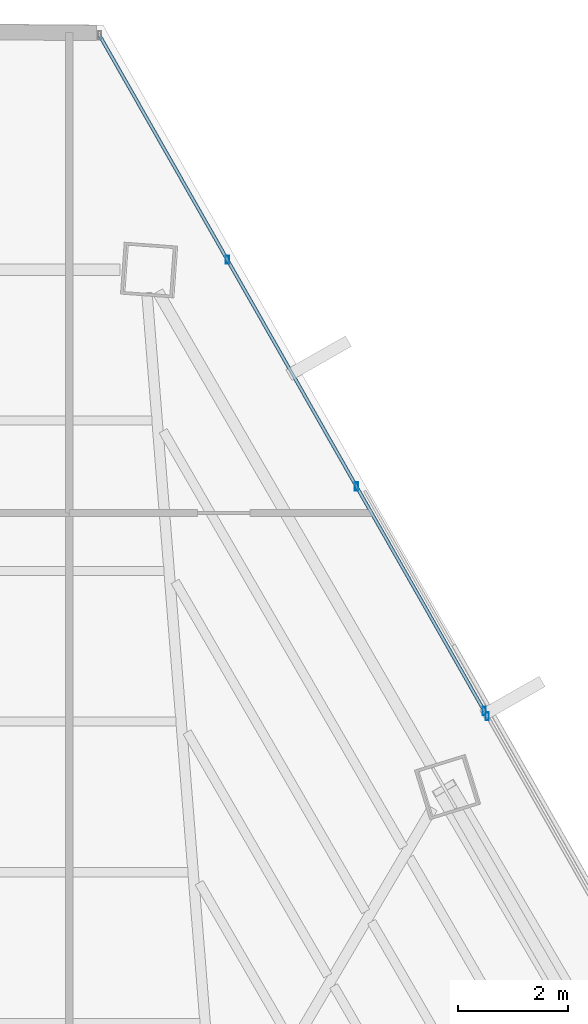
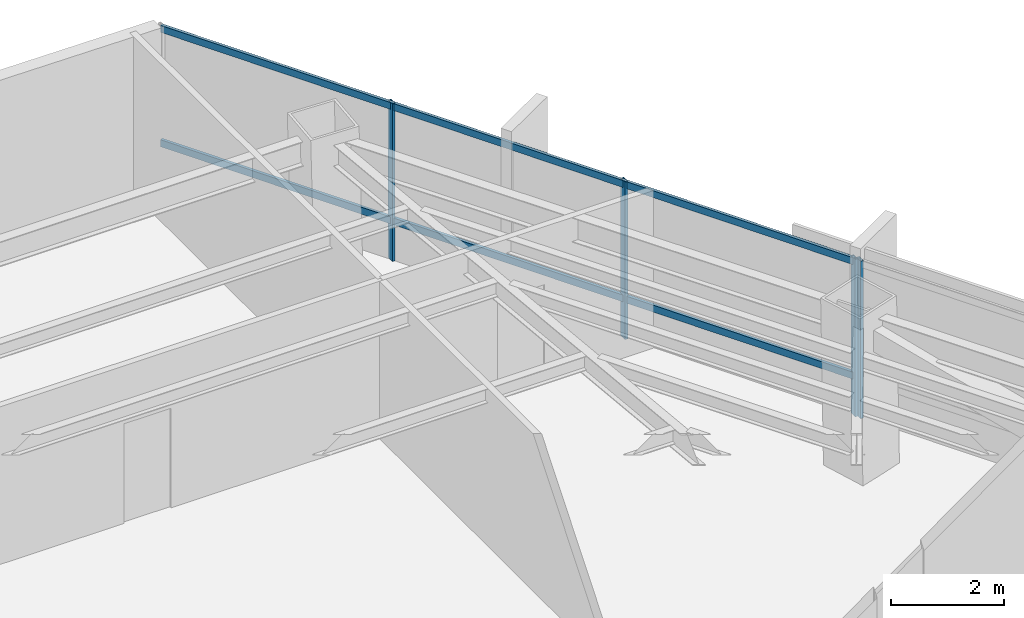
# One storey, part 31 of 38: 6 members, 2 elements without a shape of their own.
"""IFC4 building model written with IfcOpenShell, lengths in metres."""

from ifc_helpers import new_model, si_unit, direction, frame, origin, origin_2d, place, context, subcontext, project, spatial, hollow_rectangle, extrude, source, transform, mapped, material, material_profile, profile_set, type_object, type_shapes, element, aggregate, save


model = new_model("IFC4")

# Units and contexts
model_context = context("Model", 3, precision=1e-05, world=origin(), true_north=direction((0.0, 1.0)))
body_context = subcontext(model_context, "Body", "Model", "MODEL_VIEW")
ifc_project = project(units=[si_unit("LENGTHUNIT", "METRE"), si_unit("AREAUNIT", "SQUARE_METRE"), si_unit("VOLUMEUNIT", "CUBIC_METRE"), si_unit("PLANEANGLEUNIT", "RADIAN"), si_unit("MASSUNIT", "GRAM", prefix="KILO")], contexts=[model_context])

# Site, building, storey
site_placement = place(None, origin())
site = spatial("IfcSite", under=ifc_project, at=site_placement, CompositionType="ELEMENT")
building_placement = place(site_placement, origin())
building = spatial("IfcBuilding", under=site, at=building_placement, Name="Caelisora Broadcast Tower", CompositionType="ELEMENT")
storey_placement = place(building_placement, frame((0.0, 0.0, 154.85009765625)))
storey = spatial("IfcBuildingStorey", under=building, at=storey_placement, Name="L40", CompositionType="ELEMENT", Elevation=154.85009765625)

# Curtain wall, members
ifc_material_1 = material(Name="Unitised Aluminium and Low-E Glass Curtain Wall", Category="glass")
curtain_wall_type_1 = type_object("IfcCurtainWallType", Name="CW-Z3", PredefinedType="NOTDEFINED", material=ifc_material_1)
curtain_wall_1_placement = place(storey_placement, origin())
curtain_wall_1 = element("IfcCurtainWall", 1, at=curtain_wall_1_placement, inside=storey, type_object=curtain_wall_type_1, Name="L40 curtain wall CW-Z3", PredefinedType="NOTDEFINED")
ifc_material_2 = material(Name="Aluminium 6063-T6 Anodised Terracotta Bronze", Category="aluminium")
ifc_material_profile_1 = material_profile(ifc_material_2, hollow_rectangle(XDim=0.06005859375, YDim=0.14990234375, WallThickness=0.00341796875, at=origin_2d()), Name="Aluminium 6063-T6 Anodised Terracotta Bronze")
ifc_profile_set_1 = profile_set([ifc_material_profile_1], Name="Aluminium 6063-T6 Anodised Terracotta Bronze")
member_type_1 = type_object("IfcMemberType", Name="CWM-03", PredefinedType="MULLION", material=ifc_profile_set_1)
shared_shape_1 = source(origin(), body_context, "Body", "SweptSolid", [
    extrude(hollow_rectangle(XDim=0.06005859375, YDim=0.14990234375, WallThickness=0.00341796875, at=origin_2d()), origin(), (0.0, 0.0, 1.0), 3.39990234375),
])
type_shapes(member_type_1, [shared_shape_1])
member_1_placement = place(storey_placement, frame((45.687255859375, 46.684814453125, 0.0), z_axis=(0.0, 0.0, 1.0), x_axis=(1.0, 0.0, 0.0)))
member_1 = element("IfcMember", 2, at=member_1_placement, type_object=member_type_1, Name="L40-CW-B01 mullion #1", PredefinedType="MULLION", context=body_context, shape_type="MappedRepresentation", body=[
    mapped(shared_shape_1, transform((0.0, 0.0, 0.0), scale=1.0)),
])
member_2_placement = place(storey_placement, frame((48.04541015625, 42.543701171875, 0.0), z_axis=(0.0, 0.0, 1.0), x_axis=(1.0, 0.0, 0.0)))
member_2 = element("IfcMember", 3, at=member_2_placement, type_object=member_type_1, Name="L40-CW-B01 mullion #2", PredefinedType="MULLION", context=body_context, shape_type="MappedRepresentation", body=[
    mapped(shared_shape_1, transform((0.0, 0.0, 0.0), scale=1.0)),
])
member_3_placement = place(storey_placement, frame((50.37890625, 38.4462890625, 0.0), z_axis=(0.0, 0.0, 1.0), x_axis=(1.0, 0.0, 0.0)))
member_3 = element("IfcMember", 4, at=member_3_placement, type_object=member_type_1, Name="L40-CW-B01 mullion #3", PredefinedType="MULLION", context=body_context, shape_type="MappedRepresentation", body=[
    mapped(shared_shape_1, transform((0.0, 0.0, 0.0), scale=1.0)),
])

# Curtain wall, member
ifc_material_3 = material(Name="Unitised Aluminium Insulated Shadow-Box Spandrel Curtain Wall", Category="aluminium")
curtain_wall_type_2 = type_object("IfcCurtainWallType", Name="CW-SP2", PredefinedType="NOTDEFINED", material=ifc_material_3)
curtain_wall_2_placement = place(storey_placement, origin())
curtain_wall_2 = element("IfcCurtainWall", 5, at=curtain_wall_2_placement, inside=storey, type_object=curtain_wall_type_2, Name="L40 curtain wall CW-SP2", PredefinedType="NOTDEFINED")
member_4_placement = place(storey_placement, frame((50.433349609375, 38.3505859375, 0.0), z_axis=(0.0, 0.0, 1.0), x_axis=(1.0, 0.0, 0.0)))
member_4 = element("IfcMember", 6, at=member_4_placement, type_object=member_type_1, Name="L40-CW-B02 mullion #0", PredefinedType="MULLION", context=body_context, shape_type="MappedRepresentation", body=[
    mapped(shared_shape_1, transform((0.0, 0.0, 0.0), scale=1.0)),
])
aggregate(curtain_wall_2, [member_4])

# Member
ifc_material_profile_2 = material_profile(ifc_material_2, hollow_rectangle(XDim=0.06005859375, YDim=0.14990234375, WallThickness=0.00341796875, at=origin_2d()), Name="Aluminium 6063-T6 Anodised Terracotta Bronze")
ifc_profile_set_2 = profile_set([ifc_material_profile_2], Name="Aluminium 6063-T6 Anodised Terracotta Bronze")
member_type_2 = type_object("IfcMemberType", Name="CWT-02", PredefinedType="USERDEFINED", material=ifc_profile_set_2)
shared_shape_2 = source(origin(), body_context, "Body", "SweptSolid", [
    extrude(hollow_rectangle(XDim=0.06005859375, YDim=0.14990234375, WallThickness=0.00341796875, at=origin_2d()), origin(), (0.0, 0.0, 1.0), 14.196533203125),
])
type_shapes(member_type_2, [shared_shape_2])
member_5_placement = place(storey_placement, frame((43.353759765625, 50.78271484375, 0.849853515625), z_axis=(0.49485124417, -0.868977701752, 0.0), x_axis=(0.868977701752, 0.49485124417, 0.0)))
member_5 = element("IfcMember", 7, at=member_5_placement, type_object=member_type_2, Name="L40-CW-B01 transom #1", ObjectType="TRANSOM", PredefinedType="USERDEFINED", context=body_context, shape_type="MappedRepresentation", body=[
    mapped(shared_shape_2, transform((0.0, 0.0, 0.0), scale=1.0)),
])

member_6_placement = place(storey_placement, frame((43.353759765625, 50.78271484375, 3.31982421875), z_axis=(0.49485124417, -0.868977701752, 0.0), x_axis=(0.868977701752, 0.49485124417, 0.0)))
member_6 = element("IfcMember", 8, at=member_6_placement, type_object=member_type_2, Name="L40-CW-B01 transom #2", ObjectType="TRANSOM", PredefinedType="USERDEFINED", context=body_context, shape_type="MappedRepresentation", body=[
    mapped(shared_shape_2, transform((0.0, 0.0, 0.0), scale=1.0)),
])

aggregate(curtain_wall_1, [member_1, member_2, member_3, member_5, member_6])

save(model, "model.ifc")
